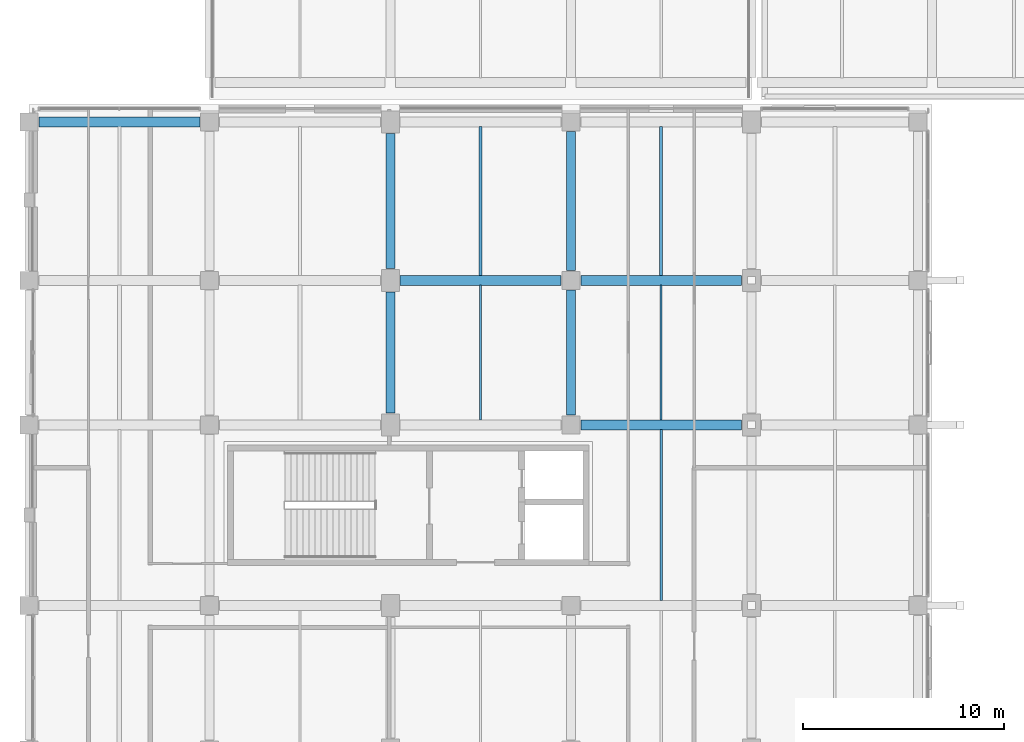
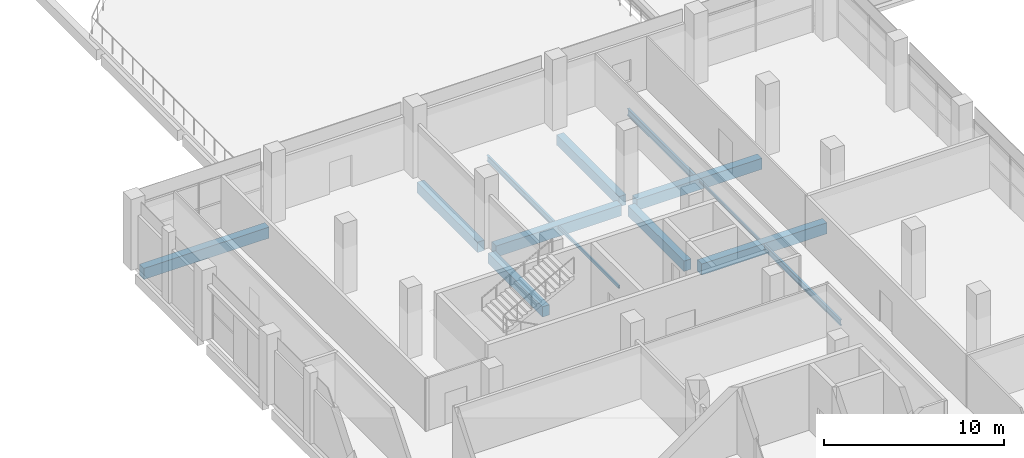
# One storey, part 19 of 82: 13 beams.
"""IFC4 building model written with IfcOpenShell, lengths in metres."""

import ifcopenshell
import ifcopenshell.guid

model = None  # the IFC model being written
_history = None  # IfcOwnerHistory: only IFC2X3 demands one
_inside = {}  # id of a spatial element -> (the spatial element, [elements in it])
_under = {}  # id of a project, library or spatial element -> (it, [spatial elements below it])
_declared = {}  # id of a project -> (the project, [libraries it declares])
_typed = {}  # id of a type object -> (the type object, [elements of that type])
_made_of = {}  # id of a material, layer set ... -> (it, [elements and type objects made of it])


def new_model(schema):
    """Start an empty IFC model of exactly this schema.

    Asked for "IFC4X3", IfcOpenShell would pick the latest addendum, in which some entities
    have other attributes; the version numbers below select the first issue.
    IFC2X3 requires an IfcOwnerHistory on every rooted entity: one is made here for all.
    """
    global model, _history
    if schema == "IFC4X3":
        model = ifcopenshell.file(schema_version=(4, 3, 0, 0))
    else:
        model = ifcopenshell.file(schema=schema)
    _inside.clear()
    _under.clear()
    _declared.clear()
    _typed.clear()
    _made_of.clear()
    _history = None
    if model.schema == "IFC2X3":
        org = make("IfcOrganization", Name="unknown")
        user = make(
            "IfcPersonAndOrganization",
            ThePerson=make("IfcPerson", FamilyName="unknown"),
            TheOrganization=org,
        )
        app = make(
            "IfcApplication",
            ApplicationDeveloper=org,
            Version="unknown",
            ApplicationFullName="unknown",
            ApplicationIdentifier="unknown",
        )
        _history = make(
            "IfcOwnerHistory",
            OwningUser=user,
            OwningApplication=app,
            ChangeAction="ADDED",
            CreationDate=0,
        )
    return model


def make(cls, **values):
    """One entity of the class cls with the attributes given. An attribute that is None is left unset."""
    return model.create_entity(
        cls, **{name: value for name, value in values.items() if value is not None}
    )


def rooted(cls, **values):
    """An entity with a GlobalId (a new one), such as an element, a storey or a relation."""
    return make(cls, GlobalId=ifcopenshell.guid.new(), OwnerHistory=_history, **values)


def si_unit(unit_type, name, prefix=None):
    """IfcSIUnit, for example si_unit("LENGTHUNIT", "METRE", prefix="MILLI")."""
    return make("IfcSIUnit", UnitType=unit_type, Prefix=prefix, Name=name)


def assignment(units):
    """IfcUnitAssignment: the units of a project."""
    return None if units is None else make("IfcUnitAssignment", Units=units)


def point(xyz):
    """IfcCartesianPoint."""
    return None if xyz is None else make("IfcCartesianPoint", Coordinates=xyz)


def direction(xyz):
    """IfcDirection."""
    return None if xyz is None else make("IfcDirection", DirectionRatios=xyz)


def frame(location, z_axis=None, x_axis=None):
    """IfcAxis2Placement3D, a coordinate frame: its origin and axes. An axis left out is left unset."""
    return make(
        "IfcAxis2Placement3D",
        Location=point(location),
        Axis=direction(z_axis),
        RefDirection=direction(x_axis),
    )


def frame_2d(location, x_axis=None):
    """IfcAxis2Placement2D, a coordinate frame in the plane: its origin and x axis."""
    return make(
        "IfcAxis2Placement2D", Location=point(location), RefDirection=direction(x_axis)
    )


def origin():
    """The frame at (0, 0, 0) with its axes left unset."""
    return frame((0.0, 0.0, 0.0))


def origin_2d():
    """The frame at (0, 0) in the plane with its x axis left unset."""
    return frame_2d((0.0, 0.0))


def place(relative_to, where):
    """IfcLocalPlacement: puts the frame where relative to a parent placement (None: the world)."""
    return make(
        "IfcLocalPlacement", PlacementRelTo=relative_to, RelativePlacement=where
    )


def context(
    kind, dimensions, precision=None, world=None, true_north=None, identifier=None
):
    """IfcGeometricRepresentationContext, for example the 3D "Model" context."""
    return make(
        "IfcGeometricRepresentationContext",
        ContextIdentifier=identifier,
        ContextType=kind,
        CoordinateSpaceDimension=dimensions,
        Precision=precision,
        WorldCoordinateSystem=world,
        TrueNorth=true_north,
    )


def subcontext(parent, identifier, kind, view, scale=None):
    """IfcGeometricRepresentationSubContext, for example "Body" below "Model"."""
    return make(
        "IfcGeometricRepresentationSubContext",
        ContextIdentifier=identifier,
        ContextType=kind,
        ParentContext=parent,
        TargetScale=scale,
        TargetView=view,
    )


def project(units=None, contexts=None):
    """IfcProject with its units and contexts."""
    return rooted(
        "IfcProject",
        Name="project",
        RepresentationContexts=contexts,
        UnitsInContext=assignment(units),
    )


def spatial(cls, under=None, at=None, **own):
    """A site, building, storey or space (cls), placed at a placement, below another one or the project."""
    s = rooted(cls, ObjectPlacement=at, **own)
    if under is not None:
        _under.setdefault(under.id(), (under, []))[1].append(s)
    return s


def profile(cls, at=None, kind="AREA", **sizes):
    """A parametric profile (cls). Its sizes go by their IFC names, for example OverallWidth=200.0."""
    return make(cls, ProfileType=kind, Position=at, **sizes)


def rectangle(**sizes):
    """IfcRectangleProfileDef."""
    return profile("IfcRectangleProfileDef", **sizes)


def hollow_rectangle(**sizes):
    """IfcRectangleHollowProfileDef."""
    return profile("IfcRectangleHollowProfileDef", **sizes)


def i_section(**sizes):
    """IfcIShapeProfileDef."""
    return profile("IfcIShapeProfileDef", **sizes)


def extrude(swept, where, along, depth):
    """IfcExtrudedAreaSolid: the profile swept, set in the frame where, extruded along a direction by depth."""
    return make(
        "IfcExtrudedAreaSolid",
        SweptArea=swept,
        Position=where,
        ExtrudedDirection=direction(along),
        Depth=depth,
    )


def shape(context_of_items, identifier, shape_type, items):
    """IfcShapeRepresentation: the items that make up one representation, for example the "Body"."""
    return make(
        "IfcShapeRepresentation",
        ContextOfItems=context_of_items,
        RepresentationIdentifier=identifier,
        RepresentationType=shape_type,
        Items=items,
    )


def material(Name=None, Category=None):
    """IfcMaterial."""
    return make("IfcMaterial", Name=Name, Category=Category)


def material_profile(
    of_material, cross_section, Name=None, Category=None, Priority=None
):
    """IfcMaterialProfile: a cross section and its material."""
    return make(
        "IfcMaterialProfile",
        Name=Name,
        Material=of_material,
        Profile=cross_section,
        Priority=Priority,
        Category=Category,
    )


def profile_set(profiles, Name=None, composite=None):
    """IfcMaterialProfileSet."""
    return make(
        "IfcMaterialProfileSet",
        Name=Name,
        MaterialProfiles=profiles,
        CompositeProfile=composite,
    )


def made_of(thing, what):
    """Note that an element or type object is made of a material, layer set ...; save() writes the relation."""
    if what is not None:
        _made_of.setdefault(what.id(), (what, []))[1].append(thing)
    return thing


def type_object(cls, material=None, **own):
    """A type object (cls), such as IfcWallType, which elements share."""
    return made_of(rooted(cls, **own), material)


def element(
    cls,
    number,
    at=None,
    inside=None,
    cuts=None,
    type_object=None,
    material=None,
    context=None,
    identifier="Body",
    shape_type=None,
    held_by="IfcProductDefinitionShape",
    body=None,
    shapes=None,
    **own,
):
    """One element of the class cls, such as IfcWall. Its Tag is "e" and its number.

    at: its placement. inside: the storey or other place that contains it. cuts: it is an
    opening in that element (IfcRelVoidsElement). A single representation is given by context,
    identifier, shape_type and body (its items); several are given by shapes. held_by: the class
    of the entity that holds the representations. save() writes the other relations.
    """
    e = rooted(cls, Tag="e%d" % number, ObjectPlacement=at, **own)
    if body is not None:
        shapes = [shape(context, identifier, shape_type, body)]
    if shapes is not None:
        e.Representation = make(held_by, Representations=shapes)
    if inside is not None:
        _inside.setdefault(inside.id(), (inside, []))[1].append(e)
    if cuts is not None:
        rooted(
            "IfcRelVoidsElement", RelatingBuildingElement=cuts, RelatedOpeningElement=e
        )
    if type_object is not None:
        _typed.setdefault(type_object.id(), (type_object, []))[1].append(e)
    return made_of(e, material)


def aggregate(whole, parts):
    """IfcRelAggregates: a whole, such as a stair, and the parts it consists of."""
    return rooted("IfcRelAggregates", RelatingObject=whole, RelatedObjects=parts)


def save(model, path):
    """Write the relations noted so far, then the file.

    IfcRelAggregates (storeys below a building ...), IfcRelContainedInSpatialStructure (elements
    in a storey), IfcRelDefinesByType, IfcRelAssociatesMaterial and IfcRelDeclares: one each for
    every whole, place, type object, material and project.
    """
    for whole, parts in _under.values():
        aggregate(whole, parts)
    for where, things in _inside.values():
        rooted(
            "IfcRelContainedInSpatialStructure",
            RelatedElements=things,
            RelatingStructure=where,
        )
    for kind, things in _typed.values():
        rooted("IfcRelDefinesByType", RelatedObjects=things, RelatingType=kind)
    for what, things in _made_of.values():
        rooted("IfcRelAssociatesMaterial", RelatedObjects=things, RelatingMaterial=what)
    for by, libraries in _declared.values():
        rooted("IfcRelDeclares", RelatingContext=by, RelatedDefinitions=libraries)
    model.write(path)


model = new_model("IFC4")

# Units and contexts
model_context = context("Model", 3, precision=1e-05, world=origin(), true_north=direction((0.0, 1.0)))
body_context = subcontext(model_context, "Body", "Model", "MODEL_VIEW")
ifc_project = project(units=[si_unit("LENGTHUNIT", "METRE"), si_unit("AREAUNIT", "SQUARE_METRE"), si_unit("VOLUMEUNIT", "CUBIC_METRE"), si_unit("PLANEANGLEUNIT", "RADIAN"), si_unit("MASSUNIT", "GRAM", prefix="KILO"), si_unit("THERMODYNAMICTEMPERATUREUNIT", "KELVIN"), si_unit("POWERUNIT", "WATT")], contexts=[model_context])

# Site, building, storey
site_placement = place(None, origin())
site = spatial("IfcSite", under=ifc_project, at=site_placement, CompositionType="ELEMENT")
building_placement = place(site_placement, origin())
building = spatial("IfcBuilding", under=site, at=building_placement, Name="Sindhuravela Promenade Stadium", CompositionType="ELEMENT")
storey_placement = place(building_placement, frame((0.0, 0.0, 14.39990234375)))
storey = spatial("IfcBuildingStorey", under=building, at=storey_placement, Name="L03", CompositionType="ELEMENT", Elevation=14.39990234375)

# Beams
ifc_material_1 = material(Name="Concrete M40", Category="concrete")
ifc_material_profile_1 = material_profile(ifc_material_1, rectangle(XDim=0.449951171875, YDim=0.699951171875, at=origin_2d()), Name="RC 450x700")
ifc_profile_set_1 = profile_set([ifc_material_profile_1], Name="Concrete M40")
beam_type_1 = type_object("IfcBeamType", Name="RC-BM-450x700", PredefinedType="BEAM", material=ifc_profile_set_1)
beam_1_placement = place(storey_placement, frame((18.0, 110.389892578125, -0.64990234375), z_axis=(0.0, 1.0, 0.0), x_axis=(-1.0, 0.0, 0.0)))
element("IfcBeam", 1, at=beam_1_placement, inside=storey, type_object=beam_type_1, Name="Primary beam GB07 WEST L03", PredefinedType="BEAM", context=body_context, shape_type="SweptSolid", body=[
    extrude(rectangle(XDim=0.449951171875, YDim=0.699951171875, at=origin_2d()), origin(), (0.0, 0.0, 1.0), 6.02001953125),
])
beam_2_placement = place(storey_placement, frame((18.0, 117.590087890625, -0.64990234375), z_axis=(0.0, 1.0, 0.0), x_axis=(-1.0, 0.0, 0.0)))
element("IfcBeam", 2, at=beam_2_placement, inside=storey, type_object=beam_type_1, Name="Primary beam GB07 WEST L03", PredefinedType="BEAM", context=body_context, shape_type="SweptSolid", body=[
    extrude(rectangle(XDim=0.449951171875, YDim=0.699951171875, at=origin_2d()), origin(), (0.0, 0.0, 1.0), 6.719970703125),
])
beam_3_placement = place(storey_placement, frame((27.0, 110.2900390625, -0.64990234375), z_axis=(0.0, 1.0, 0.0), x_axis=(-1.0, 0.0, 0.0)))
element("IfcBeam", 3, at=beam_3_placement, inside=storey, type_object=beam_type_1, Name="Primary beam GB07 WEST L03", PredefinedType="BEAM", context=body_context, shape_type="SweptSolid", body=[
    extrude(rectangle(XDim=0.449951171875, YDim=0.699951171875, at=origin_2d()), origin(), (0.0, 0.0, 1.0), 6.219970703125),
])
beam_4_placement = place(storey_placement, frame((27.0, 117.489990234375, -0.64990234375), z_axis=(0.0, 1.0, 0.0), x_axis=(-1.0, 0.0, 0.0)))
element("IfcBeam", 4, at=beam_4_placement, inside=storey, type_object=beam_type_1, Name="Primary beam GB07 WEST L03", PredefinedType="BEAM", context=body_context, shape_type="SweptSolid", body=[
    extrude(rectangle(XDim=0.449951171875, YDim=0.699951171875, at=origin_2d()), origin(), (0.0, 0.0, 1.0), 6.919921875),
])
ifc_material_profile_2 = material_profile(ifc_material_1, rectangle(XDim=0.5, YDim=0.75, at=origin_2d()), Name="RC 500x750")
ifc_profile_set_2 = profile_set([ifc_material_profile_2], Name="Concrete M40")
beam_type_2 = type_object("IfcBeamType", Name="RC-BM-500x750", PredefinedType="BEAM", material=ifc_profile_set_2)
for number, where, z_axis, x_axis, name in (
    (5, (27.489990234375, 109.800048828125, -0.6748046875), (1.0, 0.0, 0.0), (0.0, 1.0, 0.0), "Primary girder GB06 WEST L03"),
    (6, (18.489990234375, 117.0, -0.6748046875), (1.0, 0.0, 0.0), (0.0, 1.0, 0.0), "Primary girder GB06 WEST L03"),
    (7, (27.489990234375, 117.0, -0.6748046875), (1.0, 0.0, 0.0), (0.0, 1.0, 0.0), "Primary girder GB06 WEST L03"),
    (8, (0.489990234375, 124.89990234375, -0.6748046875), (1.0, 0.0, 0.0), (0.0, 1.0, 0.0), "Primary girder GB06 WEST L03"),
):
    element("IfcBeam", number, at=place(storey_placement, frame(where, z_axis=z_axis, x_axis=x_axis)), inside=storey, type_object=beam_type_2, Name=name, PredefinedType="BEAM", context=body_context, shape_type="SweptSolid", body=[
        extrude(rectangle(XDim=0.5, YDim=0.75, at=origin_2d()), origin(), (0.0, 0.0, 1.0), 8.02001953125),
    ])
ifc_material_2 = material(Name="Steel E350 (IS 2062 E350BR)", Category="steel")
ifc_material_profile_3 = material_profile(ifc_material_2, hollow_rectangle(XDim=0.10009765625, YDim=0.199951171875, WallThickness=0.008056640625, at=origin_2d()), Name="RHS 200x100x8")
ifc_profile_set_3 = profile_set([ifc_material_profile_3], Name="Steel E350 (IS 2062 E350BR)")
beam_type_3 = type_object("IfcBeamType", Name="ST-BM-LNT200", PredefinedType="LINTEL", material=ifc_profile_set_3)
beam_5_placement = place(storey_placement, frame((22.5, 110.0400390625, -0.39990234375), z_axis=(0.0, 1.0, 0.0), x_axis=(-1.0, 0.0, 0.0)))
element("IfcBeam", 9, at=beam_5_placement, inside=storey, type_object=beam_type_3, Name="Secondary floor joist LN01 WEST L03", PredefinedType="LINTEL", context=body_context, shape_type="SweptSolid", body=[
    extrude(hollow_rectangle(XDim=0.10009765625, YDim=0.199951171875, WallThickness=0.008056640625, at=origin_2d()), origin(), (0.0, 0.0, 1.0), 6.719970703125),
])
ifc_material_profile_4 = material_profile(ifc_material_2, i_section(OverallWidth=0.10009765625, OverallDepth=0.199951171875, WebThickness=0.005615234375, FlangeThickness=0.0107421875, FilletRadius=0.010986328125, at=origin_2d()), Name="ISMB 200")
ifc_profile_set_4 = profile_set([ifc_material_profile_4], Name="Steel E350 (IS 2062 E350BR)")
beam_type_4 = type_object("IfcBeamType", Name="ST-BM-MB200", PredefinedType="JOIST", material=ifc_profile_set_4)
beam_6_placement = place(storey_placement, frame((31.5, 110.0400390625, -0.39990234375), z_axis=(0.0, 1.0, 0.0), x_axis=(-1.0, 0.0, 0.0)))
element("IfcBeam", 10, at=beam_6_placement, inside=storey, type_object=beam_type_4, Name="Secondary floor joist SB01 WEST L03", PredefinedType="JOIST", context=body_context, shape_type="SweptSolid", body=[
    extrude(i_section(OverallWidth=0.10009765625, OverallDepth=0.199951171875, WebThickness=0.005615234375, FlangeThickness=0.0107421875, FilletRadius=0.010986328125, at=origin_2d()), origin(), (0.0, 0.0, 1.0), 6.719970703125),
])
ifc_material_profile_5 = material_profile(ifc_material_2, i_section(OverallWidth=0.139892578125, OverallDepth=0.39990234375, WebThickness=0.0087890625, FlangeThickness=0.01611328125, FilletRadius=0.013916015625, at=origin_2d()), Name="ISMB 400")
ifc_profile_set_5 = profile_set([ifc_material_profile_5], Name="Steel E350 (IS 2062 E350BR)")
beam_type_5 = type_object("IfcBeamType", Name="ST-BM-MB400", PredefinedType="BEAM", material=ifc_profile_set_5)
beam_7_placement = place(storey_placement, frame((31.5, 101.0400390625, -0.5), z_axis=(0.0, 1.0, 0.0), x_axis=(-1.0, 0.0, 0.0)))
element("IfcBeam", 11, at=beam_7_placement, inside=storey, type_object=beam_type_5, Name="Secondary floor joist SB05 WEST L03", PredefinedType="BEAM", context=body_context, shape_type="SweptSolid", body=[
    extrude(i_section(OverallWidth=0.139892578125, OverallDepth=0.39990234375, WebThickness=0.0087890625, FlangeThickness=0.01611328125, FilletRadius=0.013916015625, at=origin_2d()), origin(), (0.0, 0.0, 1.0), 8.52001953125),
])
beam_8_placement = place(storey_placement, frame((22.5, 117.239990234375, -0.5), z_axis=(0.0, 1.0, 0.0), x_axis=(-1.0, 0.0, 0.0)))
element("IfcBeam", 12, at=beam_8_placement, inside=storey, type_object=beam_type_5, Name="Secondary floor joist SB05 WEST L03", PredefinedType="BEAM", context=body_context, shape_type="SweptSolid", body=[
    extrude(i_section(OverallWidth=0.139892578125, OverallDepth=0.39990234375, WebThickness=0.0087890625, FlangeThickness=0.01611328125, FilletRadius=0.013916015625, at=origin_2d()), origin(), (0.0, 0.0, 1.0), 7.419921875),
])
ifc_material_profile_6 = material_profile(ifc_material_2, i_section(OverallWidth=0.14990234375, OverallDepth=0.449951171875, WebThickness=0.009521484375, FlangeThickness=0.017333984375, FilletRadius=0.014892578125, at=origin_2d()), Name="ISMB 450")
ifc_profile_set_6 = profile_set([ifc_material_profile_6], Name="Steel E350 (IS 2062 E350BR)")
beam_type_6 = type_object("IfcBeamType", Name="ST-BM-MB450", PredefinedType="BEAM", material=ifc_profile_set_6)
beam_9_placement = place(storey_placement, frame((31.5, 117.239990234375, -0.52490234375), z_axis=(0.0, 1.0, 0.0), x_axis=(-1.0, 0.0, 0.0)))
element("IfcBeam", 13, at=beam_9_placement, inside=storey, type_object=beam_type_6, Name="Secondary floor joist SB06 WEST L03", PredefinedType="BEAM", context=body_context, shape_type="SweptSolid", body=[
    extrude(i_section(OverallWidth=0.14990234375, OverallDepth=0.449951171875, WebThickness=0.009521484375, FlangeThickness=0.017333984375, FilletRadius=0.014892578125, at=origin_2d()), origin(), (0.0, 0.0, 1.0), 7.419921875),
])

save(model, "model.ifc")
